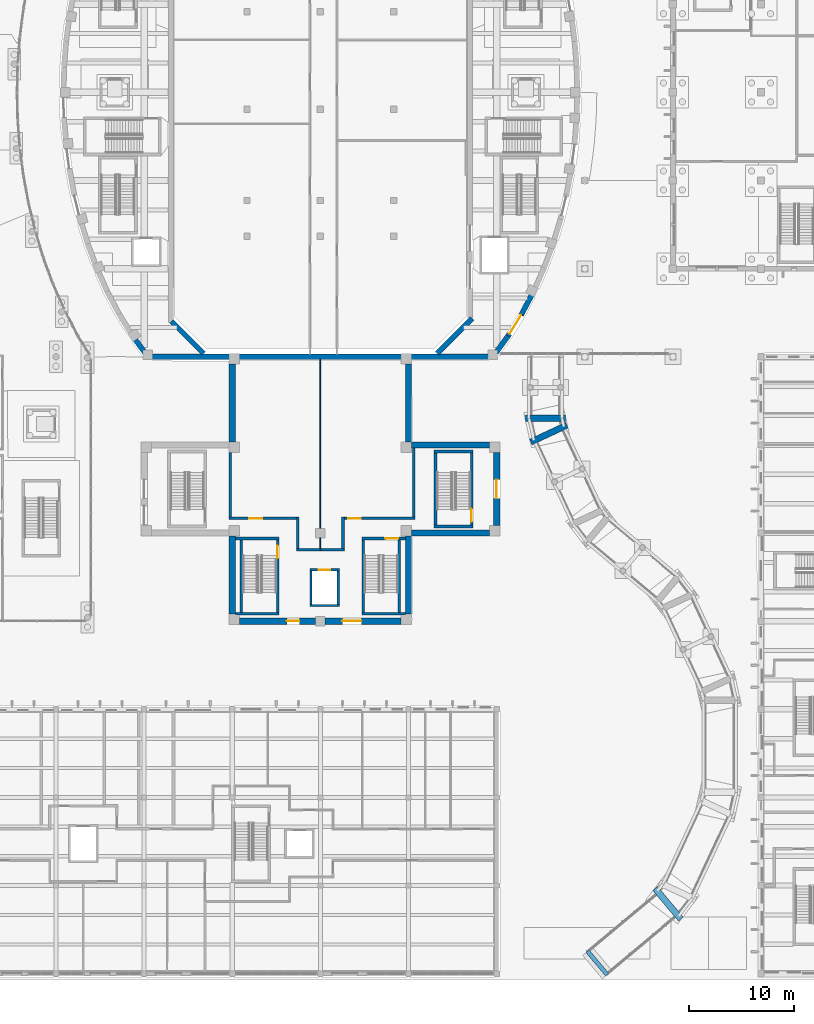
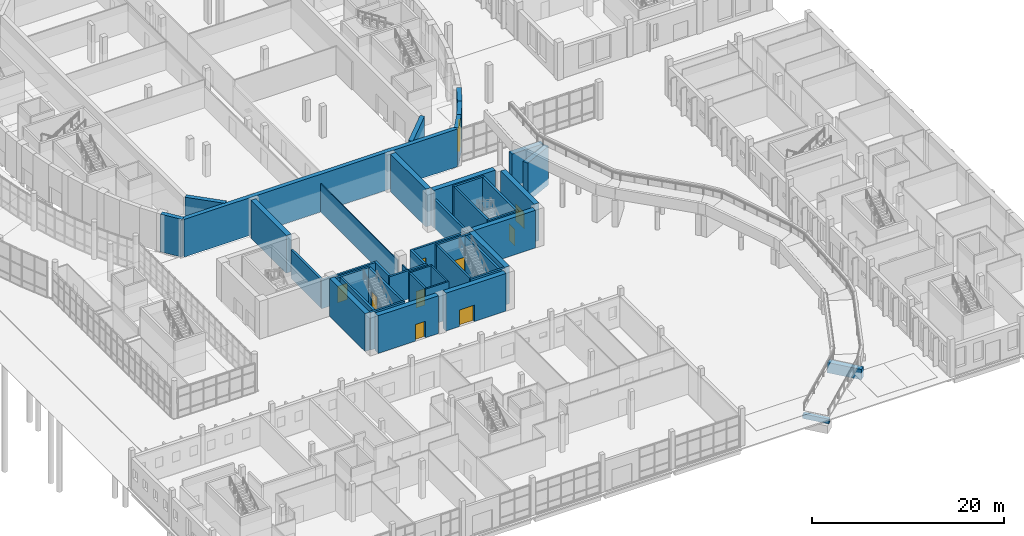
# One storey, part 57 of 110: 46 walls, 10 doors, 10 openings.
"""IFC4 building model written with IfcOpenShell, lengths in metres."""

from ifc_helpers import new_model, si_unit, direction, frame, frame_2d, origin, place, context, subcontext, project, spatial, rectangle, extrude, material, layer, layer_set, type_object, element, fill, save


model = new_model("IFC4")

# Units and contexts
model_context = context("Model", 3, precision=1e-05, world=origin(), true_north=direction((0.0, 1.0)))
body_context = subcontext(model_context, "Body", "Model", "MODEL_VIEW")
ifc_project = project(units=[si_unit("LENGTHUNIT", "METRE"), si_unit("AREAUNIT", "SQUARE_METRE"), si_unit("VOLUMEUNIT", "CUBIC_METRE"), si_unit("PLANEANGLEUNIT", "RADIAN"), si_unit("MASSUNIT", "GRAM", prefix="KILO")], contexts=[model_context])

# Site, building, storey
site_placement = place(None, origin())
site = spatial("IfcSite", under=ifc_project, at=site_placement, CompositionType="ELEMENT")
building_placement = place(site_placement, origin())
building = spatial("IfcBuilding", under=site, at=building_placement, Name="Larchfold Concert Hall", CompositionType="ELEMENT")
storey_placement = place(building_placement, origin())
storey = spatial("IfcBuildingStorey", under=building, at=storey_placement, Name="L00", CompositionType="ELEMENT", Elevation=0.0)

# Walls
ifc_material_1 = material(Name="Plasterboard partition on steel studs", Category="steel")
ifc_layer_1 = layer(ifc_material_1, 0.25)
ifc_layer_set_1 = layer_set([ifc_layer_1], Name="Plasterboard partition on steel studs")
wall_type_1 = type_object("IfcWallType", Name="Hall acoustic double-leaf partition 250", PredefinedType="PARTITIONING", material=ifc_layer_set_1)
wall_1_placement = place(storey_placement, frame((42.64990234375, 41.0, 0.0), z_axis=(0.0, 0.0, 1.0), x_axis=(-1.0, 0.0, 0.0)))
element("IfcWall", 1, at=wall_1_placement, inside=storey, type_object=wall_type_1, Name="Partition IW0019", PredefinedType="PARTITIONING", context=body_context, shape_type="SweptSolid", body=[
    extrude(rectangle(XDim=2.324951171875, YDim=0.25, at=frame_2d((1.16259765625, 0.0))), origin(), (0.0, 0.0, 1.0), 3.6201171875),
])
wall_2_placement = place(storey_placement, frame((40.449951171875, 41.125, 0.0), z_axis=(0.0, 0.0, 1.0), x_axis=(0.0, 1.0, 0.0)))
element("IfcWall", 2, at=wall_2_placement, inside=storey, type_object=wall_type_1, Name="Partition IW0020", PredefinedType="PARTITIONING", context=body_context, shape_type="SweptSolid", body=[
    extrude(rectangle(XDim=3.0, YDim=0.25, at=frame_2d((1.5, 0.0))), origin(), (0.0, 0.0, 1.0), 3.6201171875),
])

# Wall, opening, door
wall_3_placement = place(storey_placement, frame((40.324951171875, 44.0, 0.0), z_axis=(0.0, 0.0, 1.0), x_axis=(-1.0, 0.0, 0.0)))
wall_3 = element("IfcWall", 3, at=wall_3_placement, inside=storey, type_object=wall_type_1, Name="Partition IW0021", PredefinedType="PARTITIONING", context=body_context, shape_type="SweptSolid", body=[
    extrude(rectangle(XDim=6.449951171875, YDim=0.25, at=frame_2d((3.22509765625, 0.0))), origin(), (0.0, 0.0, 1.0), 3.6201171875),
])
opening_1_placement = place(wall_3_placement, frame((3.284912109375, 0.0, 0.0)))
opening_1 = element("IfcOpeningElement", 4, at=opening_1_placement, cuts=wall_3, Name="Opening D-L00-111", PredefinedType="OPENING", context=body_context, shape_type="SweptSolid", body=[
    extrude(rectangle(XDim=1.199951171875, YDim=2.10009765625, at=frame_2d((0.60009765625, 1.050048828125))), frame((0.0, 0.135009765625, 0.0), z_axis=(0.0, -1.0, 0.0), x_axis=(1.0, 0.0, 0.0)), (0.0, 0.0, 1.0), 0.27001953125),
])
ifc_material_2 = material(Name="Timber door leaf", Category="wood")
door_type_1 = type_object("IfcDoorType", Name="Large room door pair 1200 x 2100 FD30S", OperationType="SINGLE_SWING_LEFT", PredefinedType="DOOR", material=ifc_material_2)
door_1_placement = place(opening_1_placement, origin())
door_1 = element("IfcDoor", 5, at=door_1_placement, inside=storey, type_object=door_type_1, Name="Door D-L00-111", OperationType="DOUBLE_DOOR_SINGLE_SWING", OverallHeight=2.10009765625, OverallWidth=1.199951171875, PredefinedType="DOOR", context=body_context, shape_type="SweptSolid", body=[
    extrude(rectangle(XDim=1.199951171875, YDim=2.10009765625, at=frame_2d((0.60009765625, 1.050048828125))), frame((0.0, 0.02490234375, 0.0), z_axis=(0.0, -1.0, 0.0), x_axis=(1.0, 0.0, 0.0)), (0.0, 0.0, 1.0), 0.050048828125),
])
fill(opening_1, door_1)

# Walls
wall_4_placement = place(storey_placement, frame((34.0, 44.125, 0.0), z_axis=(0.0, 0.0, 1.0), x_axis=(0.0, 1.0, 0.0)))
element("IfcWall", 6, at=wall_4_placement, inside=storey, type_object=wall_type_1, Name="Partition IW0022", PredefinedType="PARTITIONING", context=body_context, shape_type="SweptSolid", body=[
    extrude(rectangle(XDim=6.155029296875, YDim=0.25, at=frame_2d((3.07763671875, 0.0))), origin(), (0.0, 0.0, 1.0), 3.6201171875),
])
wall_5_placement = place(storey_placement, frame((42.64990234375, 40.9990234375, 0.0), z_axis=(0.0, 0.0, 1.0), x_axis=(1.0, 0.0, 0.0)))
element("IfcWall", 7, at=wall_5_placement, inside=storey, type_object=wall_type_1, Name="Partition IW0025", PredefinedType="PARTITIONING", context=body_context, shape_type="SweptSolid", body=[
    extrude(rectangle(XDim=2.22509765625, YDim=0.25, at=frame_2d((1.112548828125, 0.0))), origin(), (0.0, 0.0, 1.0), 3.6201171875),
])
wall_6_placement = place(storey_placement, frame((44.75, 41.1240234375, 0.0), z_axis=(0.0, 0.0, 1.0), x_axis=(0.000325520816, 0.999999947018, 0.0)))
element("IfcWall", 8, at=wall_6_placement, inside=storey, type_object=wall_type_1, Name="Partition IW0026", PredefinedType="PARTITIONING", context=body_context, shape_type="SweptSolid", body=[
    extrude(rectangle(XDim=3.0, YDim=0.25, at=frame_2d((1.5, 0.0))), origin(), (0.0, 0.0, 1.0), 3.6201171875),
])

# Wall, opening, door
wall_7_placement = place(storey_placement, frame((44.8759765625, 43.9990234375, 0.0), z_axis=(0.0, 0.0, 1.0), x_axis=(1.0, 0.0, 0.0)))
wall_7 = element("IfcWall", 9, at=wall_7_placement, inside=storey, type_object=wall_type_1, Name="Partition IW0027", PredefinedType="PARTITIONING", context=body_context, shape_type="SweptSolid", body=[
    extrude(rectangle(XDim=6.75, YDim=0.25, at=frame_2d((3.375, 0.0))), origin(), (0.0, 0.0, 1.0), 3.6201171875),
])
opening_2_placement = place(wall_7_placement, frame((0.364501953125, 0.0, 0.0)))
opening_2 = element("IfcOpeningElement", 10, at=opening_2_placement, cuts=wall_7, Name="Opening D-L00-112", PredefinedType="OPENING", context=body_context, shape_type="SweptSolid", body=[
    extrude(rectangle(XDim=1.199951171875, YDim=2.10009765625, at=frame_2d((0.60009765625, 1.050048828125))), frame((0.0, 0.135009765625, 0.0), z_axis=(0.0, -1.0, 0.0), x_axis=(1.0, 0.0, 0.0)), (0.0, 0.0, 1.0), 0.27001953125),
])
door_2_placement = place(opening_2_placement, origin())
door_2 = element("IfcDoor", 11, at=door_2_placement, inside=storey, type_object=door_type_1, Name="Door D-L00-112", OperationType="DOUBLE_DOOR_SINGLE_SWING", OverallHeight=2.10009765625, OverallWidth=1.199951171875, PredefinedType="DOOR", context=body_context, shape_type="SweptSolid", body=[
    extrude(rectangle(XDim=1.199951171875, YDim=2.10009765625, at=frame_2d((0.60009765625, 1.050048828125))), frame((0.0, 0.02490234375, 0.0), z_axis=(0.0, -1.0, 0.0), x_axis=(1.0, 0.0, 0.0)), (0.0, 0.0, 1.0), 0.050048828125),
])
fill(opening_2, door_2)

# Walls
wall_8_placement = place(storey_placement, frame((51.5009765625, 44.1240234375, 0.0), z_axis=(0.0, 0.0, 1.0), x_axis=(-0.00014850566, 0.999999988973, 0.0)))
element("IfcWall", 12, at=wall_8_placement, inside=storey, type_object=wall_type_1, Name="Partition IW0028", PredefinedType="PARTITIONING", context=body_context, shape_type="SweptSolid", body=[
    extrude(rectangle(XDim=6.575927734375, YDim=0.25, at=frame_2d((3.2880859375, 0.0))), origin(), (0.0, 0.0, 1.0), 3.6201171875),
])
ifc_material_3 = material(Name="Plasterboard partition on steel studs", Category="steel")
ifc_layer_2 = layer(ifc_material_3, 0.10009765625)
ifc_layer_set_2 = layer_set([ifc_layer_2], Name="Plasterboard partition on steel studs")
wall_type_2 = type_object("IfcWallType", Name="Stud partition 100", PredefinedType="PARTITIONING", material=ifc_layer_set_2)
wall_9_placement = place(storey_placement, frame((42.60009765625, 59.14990234375, 0.0), z_axis=(0.0, 0.0, 1.0), x_axis=(0.0, -1.0, 0.0)))
element("IfcWall", 13, at=wall_9_placement, inside=storey, type_object=wall_type_2, Name="Partition IW0023", PredefinedType="PARTITIONING", context=body_context, shape_type="SweptSolid", body=[
    extrude(rectangle(XDim=16.079833984375, YDim=0.10009765625, at=frame_2d((8.0400390625, 0.0))), origin(), (0.0, 0.0, 1.0), 3.6201171875),
])
wall_10_placement = place(storey_placement, frame((42.60009765625, 42.130126953125, 0.0), z_axis=(0.0, 0.0, 1.0), x_axis=(0.0, -1.0, 0.0)))
element("IfcWall", 14, at=wall_10_placement, inside=storey, type_object=wall_type_2, Name="Partition IW0024", PredefinedType="PARTITIONING", context=body_context, shape_type="SweptSolid", body=[
    extrude(rectangle(XDim=1.005126953125, YDim=0.10009765625, at=frame_2d((0.50244140625, 0.0))), origin(), (0.0, 0.0, 1.0), 3.6201171875),
])
ifc_material_4 = material(Name="Concrete C40/50", Category="concrete")
ifc_layer_3 = layer(ifc_material_4, 0.199951171875)
ifc_layer_set_3 = layer_set([ifc_layer_3], Name="Concrete C40/50")
wall_type_3 = type_object("IfcWallType", Name="Wall RC 200 lift shaft", PredefinedType="SOLIDWALL", material=ifc_layer_set_3)
wall_11_placement = place(storey_placement, frame((41.60009765625, 35.7001953125, 0.0), z_axis=(0.0, 0.0, 1.0), x_axis=(1.0, 0.0, 0.0)))
element("IfcWall", 15, at=wall_11_placement, inside=storey, type_object=wall_type_3, Name="Wall W0157", PredefinedType="SOLIDWALL", context=body_context, shape_type="SweptSolid", body=[
    extrude(rectangle(XDim=2.7998046875, YDim=0.199951171875, at=frame_2d((1.39990234375, 0.0))), origin(), (0.0, 0.0, 1.0), 4.800048828125),
])

# Wall, opening, door
wall_12_placement = place(storey_placement, frame((41.60009765625, 39.099853515625, 0.0), z_axis=(0.0, 0.0, 1.0), x_axis=(1.0, 0.0, 0.0)))
wall_12 = element("IfcWall", 16, at=wall_12_placement, inside=storey, type_object=wall_type_3, Name="Wall W0158", PredefinedType="SOLIDWALL", context=body_context, shape_type="SweptSolid", body=[
    extrude(rectangle(XDim=2.7998046875, YDim=0.199951171875, at=frame_2d((1.39990234375, 0.0))), origin(), (0.0, 0.0, 1.0), 4.800048828125),
])
opening_3_placement = place(wall_12_placement, frame((0.849853515625, 0.0, 0.0)))
opening_3 = element("IfcOpeningElement", 17, at=opening_3_placement, cuts=wall_12, Name="Opening LD-LF05", PredefinedType="OPENING", context=body_context, shape_type="SweptSolid", body=[
    extrude(rectangle(XDim=1.10009765625, YDim=2.10009765625, at=frame_2d((0.550048828125, 1.050048828125))), frame((0.0, 0.10986328125, 0.0), z_axis=(0.0, -1.0, 0.0), x_axis=(1.0, 0.0, 0.0)), (0.0, 0.0, 1.0), 0.219970703125),
])
ifc_material_5 = material(Name="Stainless steel sliding leaves", Category="steel")
door_type_2 = type_object("IfcDoorType", Name="Lift landing door sliding 1100 x 2100", OperationType="SLIDING_TO_LEFT", PredefinedType="DOOR", material=ifc_material_5)
door_3_placement = place(opening_3_placement, origin())
door_3 = element("IfcDoor", 18, at=door_3_placement, inside=storey, type_object=door_type_2, Name="Lift landing door LF05", OperationType="SLIDING_TO_LEFT", OverallHeight=2.10009765625, OverallWidth=1.10009765625, PredefinedType="DOOR", context=body_context, shape_type="SweptSolid", body=[
    extrude(rectangle(XDim=1.10009765625, YDim=2.10009765625, at=frame_2d((0.550048828125, 1.050048828125))), frame((0.0, 0.02490234375, 0.0), z_axis=(0.0, -1.0, 0.0), x_axis=(1.0, 0.0, 0.0)), (0.0, 0.0, 1.0), 0.050048828125),
])
fill(opening_3, door_3)

# Walls
for number, where, z_axis, x_axis, name in (
    (19, (41.7001953125, 35.800048828125, 0.0), (0.0, 0.0, 1.0), (0.0, 1.0, 0.0), "Wall W0159"),
    (20, (44.2998046875, 35.800048828125, 0.0), (0.0, 0.0, 1.0), (0.0, 1.0, 0.0), "Wall W0160"),
):
    element("IfcWall", number, at=place(storey_placement, frame(where, z_axis=z_axis, x_axis=x_axis)), inside=storey, type_object=wall_type_3, Name=name, PredefinedType="SOLIDWALL", context=body_context, shape_type="SweptSolid", body=[
        extrude(rectangle(XDim=3.199951171875, YDim=0.199951171875, at=frame_2d((1.60009765625, 0.0))), origin(), (0.0, 0.0, 1.0), 4.800048828125),
    ])
ifc_material_6 = material(Name="Concrete C40/50", Category="concrete")
ifc_layer_4 = layer(ifc_material_6, 0.25)
ifc_layer_set_4 = layer_set([ifc_layer_4], Name="Concrete C40/50")
wall_type_4 = type_object("IfcWallType", Name="Wall RC 250 stair core", PredefinedType="SOLIDWALL", material=ifc_layer_set_4)
for number, where, z_axis, x_axis, name in (
    (21, (53.449951171875, 43.22509765625, 0.0), (0.0, 0.0, 1.0), (1.0, 0.0, 0.0), "Wall W0069"),
    (22, (53.449951171875, 50.375, 0.0), (0.0, 0.0, 1.0), (1.0, 0.0, 0.0), "Wall W0070"),
):
    element("IfcWall", number, at=place(storey_placement, frame(where, z_axis=z_axis, x_axis=x_axis)), inside=storey, type_object=wall_type_4, Name=name, PredefinedType="SOLIDWALL", context=body_context, shape_type="SweptSolid", body=[
        extrude(rectangle(XDim=3.699951171875, YDim=0.25, at=frame_2d((1.85009765625, 0.0))), origin(), (0.0, 0.0, 1.0), 4.800048828125),
    ])
wall_13_placement = place(storey_placement, frame((53.574951171875, 43.35009765625, 0.0), z_axis=(0.0, 0.0, 1.0), x_axis=(0.0, 1.0, 0.0)))
element("IfcWall", 23, at=wall_13_placement, inside=storey, type_object=wall_type_4, Name="Wall W0071", PredefinedType="SOLIDWALL", context=body_context, shape_type="SweptSolid", body=[
    extrude(rectangle(XDim=6.89990234375, YDim=0.25, at=frame_2d((3.449951171875, 0.0))), origin(), (0.0, 0.0, 1.0), 4.800048828125),
])

# Wall, opening, door
wall_14_placement = place(storey_placement, frame((57.02490234375, 43.35009765625, 0.0), z_axis=(0.0, 0.0, 1.0), x_axis=(0.0, 1.0, 0.0)))
wall_14 = element("IfcWall", 24, at=wall_14_placement, inside=storey, type_object=wall_type_4, Name="Wall W0072", PredefinedType="SOLIDWALL", context=body_context, shape_type="SweptSolid", body=[
    extrude(rectangle(XDim=6.89990234375, YDim=0.25, at=frame_2d((3.449951171875, 0.0))), origin(), (0.0, 0.0, 1.0), 4.800048828125),
])
opening_4_placement = place(wall_14_placement, frame((0.35009765625, 0.0, 0.0)))
opening_4 = element("IfcOpeningElement", 25, at=opening_4_placement, cuts=wall_14, Name="Opening D-L00-165", PredefinedType="OPENING", context=body_context, shape_type="SweptSolid", body=[
    extrude(rectangle(XDim=1.199951171875, YDim=2.10009765625, at=frame_2d((0.60009765625, 1.050048828125))), frame((0.0, 0.135009765625, 0.0), z_axis=(0.0, -1.0, 0.0), x_axis=(1.0, 0.0, 0.0)), (0.0, 0.0, 1.0), 0.27001953125),
])
ifc_material_7 = material(Name="Timber door leaf", Category="wood")
door_type_3 = type_object("IfcDoorType", Name="Stair enclosure door pair 1200 x 2100 FD60", OperationType="SINGLE_SWING_LEFT", PredefinedType="DOOR", material=ifc_material_7)
door_4_placement = place(opening_4_placement, origin())
door_4 = element("IfcDoor", 26, at=door_4_placement, inside=storey, type_object=door_type_3, Name="Door D-L00-165", OperationType="DOUBLE_DOOR_SINGLE_SWING", OverallHeight=2.10009765625, OverallWidth=1.199951171875, PredefinedType="DOOR", context=body_context, shape_type="SweptSolid", body=[
    extrude(rectangle(XDim=1.199951171875, YDim=2.10009765625, at=frame_2d((0.60009765625, 1.050048828125))), frame((0.0, 0.02490234375, 0.0), z_axis=(0.0, -1.0, 0.0), x_axis=(1.0, 0.0, 0.0)), (0.0, 0.0, 1.0), 0.050048828125),
])
fill(opening_4, door_4)

# Walls
for number, where, z_axis, x_axis, name in (
    (27, (34.5, 34.925048828125, 0.0), (0.0, 0.0, 1.0), (1.0, 0.0, 0.0), "Wall W0073"),
    (28, (34.5, 42.074951171875, 0.0), (0.0, 0.0, 1.0), (1.0, 0.0, 0.0), "Wall W0074"),
):
    element("IfcWall", number, at=place(storey_placement, frame(where, z_axis=z_axis, x_axis=x_axis)), inside=storey, type_object=wall_type_4, Name=name, PredefinedType="SOLIDWALL", context=body_context, shape_type="SweptSolid", body=[
        extrude(rectangle(XDim=4.14990234375, YDim=0.25, at=frame_2d((2.074951171875, 0.0))), origin(), (0.0, 0.0, 1.0), 4.800048828125),
    ])
wall_15_placement = place(storey_placement, frame((35.074951171875, 35.050048828125, 0.0), z_axis=(0.0, 0.0, 1.0), x_axis=(0.0, 1.0, 0.0)))
element("IfcWall", 29, at=wall_15_placement, inside=storey, type_object=wall_type_4, Name="Wall W0075", PredefinedType="SOLIDWALL", context=body_context, shape_type="SweptSolid", body=[
    extrude(rectangle(XDim=6.89990234375, YDim=0.25, at=frame_2d((3.449951171875, 0.0))), origin(), (0.0, 0.0, 1.0), 4.800048828125),
])

# Wall, opening, door
wall_16_placement = place(storey_placement, frame((38.52490234375, 35.050048828125, 0.0), z_axis=(0.0, 0.0, 1.0), x_axis=(0.0, 1.0, 0.0)))
wall_16 = element("IfcWall", 30, at=wall_16_placement, inside=storey, type_object=wall_type_4, Name="Wall W0076", PredefinedType="SOLIDWALL", context=body_context, shape_type="SweptSolid", body=[
    extrude(rectangle(XDim=6.89990234375, YDim=0.25, at=frame_2d((3.449951171875, 0.0))), origin(), (0.0, 0.0, 1.0), 4.800048828125),
])
opening_5_placement = place(wall_16_placement, frame((5.14990234375, 0.0, 0.0)))
opening_5 = element("IfcOpeningElement", 31, at=opening_5_placement, cuts=wall_16, Name="Opening D-L00-162", PredefinedType="OPENING", context=body_context, shape_type="SweptSolid", body=[
    extrude(rectangle(XDim=1.199951171875, YDim=2.10009765625, at=frame_2d((0.60009765625, 1.050048828125))), frame((0.0, 0.135009765625, 0.0), z_axis=(0.0, -1.0, 0.0), x_axis=(1.0, 0.0, 0.0)), (0.0, 0.0, 1.0), 0.27001953125),
])
door_5_placement = place(opening_5_placement, origin())
door_5 = element("IfcDoor", 32, at=door_5_placement, inside=storey, type_object=door_type_3, Name="Door D-L00-162", OperationType="DOUBLE_DOOR_SINGLE_SWING", OverallHeight=2.10009765625, OverallWidth=1.199951171875, PredefinedType="DOOR", context=body_context, shape_type="SweptSolid", body=[
    extrude(rectangle(XDim=1.199951171875, YDim=2.10009765625, at=frame_2d((0.60009765625, 1.050048828125))), frame((0.0, 0.02490234375, 0.0), z_axis=(0.0, -1.0, 0.0), x_axis=(1.0, 0.0, 0.0)), (0.0, 0.0, 1.0), 0.050048828125),
])
fill(opening_5, door_5)

# Wall
wall_17_placement = place(storey_placement, frame((46.550048828125, 34.925048828125, 0.0), z_axis=(0.0, 0.0, 1.0), x_axis=(1.0, 0.0, 0.0)))
element("IfcWall", 33, at=wall_17_placement, inside=storey, type_object=wall_type_4, Name="Wall W0077", PredefinedType="SOLIDWALL", context=body_context, shape_type="SweptSolid", body=[
    extrude(rectangle(XDim=4.14990234375, YDim=0.25, at=frame_2d((2.074951171875, 0.0))), origin(), (0.0, 0.0, 1.0), 4.800048828125),
])

# Wall, opening, door
wall_18_placement = place(storey_placement, frame((46.550048828125, 42.074951171875, 0.0), z_axis=(0.0, 0.0, 1.0), x_axis=(1.0, 0.0, 0.0)))
wall_18 = element("IfcWall", 34, at=wall_18_placement, inside=storey, type_object=wall_type_4, Name="Wall W0078", PredefinedType="SOLIDWALL", context=body_context, shape_type="SweptSolid", body=[
    extrude(rectangle(XDim=4.14990234375, YDim=0.25, at=frame_2d((2.074951171875, 0.0))), origin(), (0.0, 0.0, 1.0), 4.800048828125),
])
opening_6_placement = place(wall_18_placement, frame((2.25, 0.0, 0.0)))
opening_6 = element("IfcOpeningElement", 35, at=opening_6_placement, cuts=wall_18, Name="Opening D-L00-163", PredefinedType="OPENING", context=body_context, shape_type="SweptSolid", body=[
    extrude(rectangle(XDim=1.199951171875, YDim=2.10009765625, at=frame_2d((0.60009765625, 1.050048828125))), frame((0.0, 0.135009765625, 0.0), z_axis=(0.0, -1.0, 0.0), x_axis=(1.0, 0.0, 0.0)), (0.0, 0.0, 1.0), 0.27001953125),
])
door_6_placement = place(opening_6_placement, origin())
door_6 = element("IfcDoor", 36, at=door_6_placement, inside=storey, type_object=door_type_3, Name="Door D-L00-163", OperationType="DOUBLE_DOOR_SINGLE_SWING", OverallHeight=2.10009765625, OverallWidth=1.199951171875, PredefinedType="DOOR", context=body_context, shape_type="SweptSolid", body=[
    extrude(rectangle(XDim=1.199951171875, YDim=2.10009765625, at=frame_2d((0.60009765625, 1.050048828125))), frame((0.0, 0.02490234375, 0.0), z_axis=(0.0, -1.0, 0.0), x_axis=(1.0, 0.0, 0.0)), (0.0, 0.0, 1.0), 0.050048828125),
])
fill(opening_6, door_6)

# Walls
for number, where, z_axis, x_axis, name in (
    (37, (46.675048828125, 35.050048828125, 0.0), (0.0, 0.0, 1.0), (0.0, 1.0, 0.0), "Wall W0079"),
    (38, (50.125, 35.050048828125, 0.0), (0.0, 0.0, 1.0), (0.0, 1.0, 0.0), "Wall W0080"),
):
    element("IfcWall", number, at=place(storey_placement, frame(where, z_axis=z_axis, x_axis=x_axis)), inside=storey, type_object=wall_type_4, Name=name, PredefinedType="SOLIDWALL", context=body_context, shape_type="SweptSolid", body=[
        extrude(rectangle(XDim=6.89990234375, YDim=0.25, at=frame_2d((3.449951171875, 0.0))), origin(), (0.0, 0.0, 1.0), 4.800048828125),
    ])
ifc_material_8 = material(Name="Concrete C30/37", Category="concrete")
ifc_layer_5 = layer(ifc_material_8, 0.39990234375)
ifc_layer_set_5 = layer_set([ifc_layer_5], Name="Concrete C30/37")
wall_type_5 = type_object("IfcWallType", Name="Wall RC 400 ramp pier", PredefinedType="SOLIDWALL", material=ifc_layer_set_5)
wall_19_placement = place(storey_placement, frame((69.93212890625, 0.510009765625, -0.85009765625), z_axis=(0.0, 0.0, 1.0), x_axis=(-0.642797161196, 0.76603642835, 0.0)))
element("IfcWall", 39, at=wall_19_placement, inside=storey, type_object=wall_type_5, Name="Wall W0205", PredefinedType="SOLIDWALL", context=body_context, shape_type="SweptSolid", body=[
    extrude(rectangle(XDim=2.900146484375, YDim=0.39990234375, at=frame_2d((1.4501953125, 0.0))), origin(), (0.0, 0.0, 1.0), 0.60009765625),
])
ifc_material_9 = material(Name="Concrete C30/37", Category="concrete")
ifc_layer_6 = layer(ifc_material_9, 0.5)
ifc_layer_set_6 = layer_set([ifc_layer_6], Name="Concrete C30/37")
wall_type_6 = type_object("IfcWallType", Name="Wall RC 500 drum facade", PredefinedType="SOLIDWALL", material=ifc_layer_set_6)
wall_20_placement = place(storey_placement, frame((24.70654296875, 61.37548828125, 0.0), z_axis=(0.0, 0.0, 1.0), x_axis=(0.590771306399, -0.806839056774, 0.0)))
element("IfcWall", 40, at=wall_20_placement, inside=storey, type_object=wall_type_6, Name="Wall DW049", PredefinedType="SOLIDWALL", context=body_context, shape_type="SweptSolid", body=[
    extrude(rectangle(XDim=2.448486328125, YDim=0.5, at=frame_2d((1.22412109375, 0.0))), origin(), (0.0, 0.0, 1.0), 4.800048828125),
])
wall_21_placement = place(storey_placement, frame((26.153076171875, 59.39990234375, 0.0), z_axis=(0.0, 0.0, 1.0), x_axis=(1.0, 0.0, 0.0)))
element("IfcWall", 41, at=wall_21_placement, inside=storey, type_object=wall_type_6, Name="Wall DW050", PredefinedType="SOLIDWALL", context=body_context, shape_type="SweptSolid", body=[
    extrude(rectangle(XDim=32.89404296875, YDim=0.5, at=frame_2d((16.447021484375, 0.0))), origin(), (0.0, 0.0, 1.0), 4.800048828125),
])
wall_22_placement = place(storey_placement, frame((59.047119140625, 59.39990234375, 0.0), z_axis=(0.0, 0.0, 1.0), x_axis=(0.590771306399, 0.806839056774, 0.0)))
element("IfcWall", 42, at=wall_22_placement, inside=storey, type_object=wall_type_6, Name="Wall DW051", PredefinedType="SOLIDWALL", context=body_context, shape_type="SweptSolid", body=[
    extrude(rectangle(XDim=2.448486328125, YDim=0.5, at=frame_2d((1.22412109375, 0.0))), origin(), (0.0, 0.0, 1.0), 4.800048828125),
])

# Wall, opening, door
wall_23_placement = place(storey_placement, frame((60.49365234375, 61.37548828125, 0.0), z_axis=(0.0, 0.0, 1.0), x_axis=(0.527702820527, 0.849429063082, 0.0)))
wall_23 = element("IfcWall", 43, at=wall_23_placement, inside=storey, type_object=wall_type_6, Name="Wall DW052", PredefinedType="SOLIDWALL", context=body_context, shape_type="SweptSolid", body=[
    extrude(rectangle(XDim=2.44873046875, YDim=0.5, at=frame_2d((1.224365234375, 0.0))), origin(), (0.0, 0.0, 1.0), 4.800048828125),
])
opening_7_placement = place(wall_23_placement, frame((0.248779296875, 0.0, 0.0)))
opening_7 = element("IfcOpeningElement", 44, at=opening_7_placement, cuts=wall_23, Name="Opening D-L00-209", PredefinedType="OPENING", context=body_context, shape_type="SweptSolid", body=[
    extrude(rectangle(XDim=2.10009765625, YDim=2.39990234375, at=frame_2d((1.050048828125, 1.199951171875))), frame((0.0, 0.260009765625, 0.0), z_axis=(0.0, -1.0, 0.0), x_axis=(1.0, 0.0, 0.0)), (0.0, 0.0, 1.0), 0.52001953125),
])
ifc_material_10 = material(Name="Anodised graphite aluminium door leaf", Category="aluminium")
door_type_4 = type_object("IfcDoorType", Name="Entrance door double 2100x2400", OperationType="DOUBLE_DOOR_SINGLE_SWING", PredefinedType="DOOR", material=ifc_material_10)
door_7_placement = place(opening_7_placement, origin())
door_7 = element("IfcDoor", 45, at=door_7_placement, inside=storey, type_object=door_type_4, Name="Door D-L00-209", OperationType="DOUBLE_DOOR_SINGLE_SWING", OverallHeight=2.39990234375, OverallWidth=2.10009765625, PredefinedType="DOOR", context=body_context, shape_type="SweptSolid", body=[
    extrude(rectangle(XDim=2.10009765625, YDim=2.39990234375, at=frame_2d((1.050048828125, 1.199951171875))), frame((0.0, 0.02490234375, 0.0), z_axis=(0.0, -1.0, 0.0), x_axis=(1.0, 0.0, 0.0)), (0.0, 0.0, 1.0), 0.050048828125),
])
fill(opening_7, door_7)

# Walls
wall_24_placement = place(storey_placement, frame((61.785888671875, 63.45556640625, 0.0), z_axis=(0.0, 0.0, 1.0), x_axis=(0.466448872517, 0.884548161112, 0.0)))
element("IfcWall", 46, at=wall_24_placement, inside=storey, type_object=wall_type_6, Name="Wall DW053", PredefinedType="SOLIDWALL", context=body_context, shape_type="SweptSolid", body=[
    extrude(rectangle(XDim=2.448974609375, YDim=0.5, at=frame_2d((1.224609375, 0.0))), origin(), (0.0, 0.0, 1.0), 4.800048828125),
])
ifc_material_11 = material(Name="Concrete C40/50", Category="concrete")
ifc_layer_7 = layer(ifc_material_11, 0.5)
ifc_layer_set_7 = layer_set([ifc_layer_7], Name="Concrete C40/50")
wall_type_7 = type_object("IfcWallType", Name="Wall RC 500 hall shell", PredefinedType="SOLIDWALL", material=ifc_layer_set_7)
wall_25_placement = place(storey_placement, frame((53.722900390625, 59.72265625, 0.0), z_axis=(0.0, 0.0, 1.0), x_axis=(0.707106781187, 0.707106781187, 0.0)))
element("IfcWall", 47, at=wall_25_placement, inside=storey, type_object=wall_type_7, Name="Wall W0001", PredefinedType="SOLIDWALL", context=body_context, shape_type="SweptSolid", body=[
    extrude(rectangle(XDim=4.720947265625, YDim=0.5, at=frame_2d((2.3603515625, 0.0))), origin(), (0.0, 0.0, 1.0), 4.800048828125),
])
wall_26_placement = place(storey_placement, frame((28.4228515625, 62.777099609375, 0.0), z_axis=(0.0, 0.0, 1.0), x_axis=(0.707106781187, -0.707106781187, 0.0)))
element("IfcWall", 48, at=wall_26_placement, inside=storey, type_object=wall_type_7, Name="Wall W0007", PredefinedType="SOLIDWALL", context=body_context, shape_type="SweptSolid", body=[
    extrude(rectangle(XDim=4.319580078125, YDim=0.5, at=frame_2d((2.15966796875, 0.0))), origin(), (0.0, 0.0, 1.0), 4.800048828125),
])
ifc_material_12 = material(Name="Concrete C30/37", Category="concrete")
ifc_layer_8 = layer(ifc_material_12, 0.60009765625)
ifc_layer_set_8 = layer_set([ifc_layer_8], Name="Concrete C30/37")
wall_type_8 = type_object("IfcWallType", Name="Wall RC 600 ramp pier", PredefinedType="SOLIDWALL", material=ifc_layer_set_8)
wall_27_placement = place(storey_placement, frame((76.9501953125, 5.8115234375, -0.85009765625), z_axis=(0.0, 0.0, 1.0), x_axis=(-0.642733920245, 0.766089490704, 0.0)))
element("IfcWall", 49, at=wall_27_placement, inside=storey, type_object=wall_type_8, Name="Wall W0193", PredefinedType="SOLIDWALL", context=body_context, shape_type="SweptSolid", body=[
    extrude(rectangle(XDim=3.800048828125, YDim=0.60009765625, at=frame_2d((1.89990234375, 0.0))), origin(), (0.0, 0.0, 1.0), 1.320068359375),
])
for number, where, z_axis, x_axis, name in (
    (50, (66.096435546875, 52.88232421875, -0.85009765625), (0.0, 0.0, 1.0), (-0.906301285889, -0.422632203217, 0.0), "Wall W0203"),
    (51, (65.94970703125, 53.5439453125, -0.85009765625), (0.0, 0.0, 1.0), (-1.0, 0.0, 0.0), "Wall W0204"),
):
    element("IfcWall", number, at=place(storey_placement, frame(where, z_axis=z_axis, x_axis=x_axis)), inside=storey, type_object=wall_type_8, Name=name, PredefinedType="SOLIDWALL", context=body_context, shape_type="SweptSolid", body=[
        extrude(rectangle(XDim=3.7998046875, YDim=0.60009765625, at=frame_2d((1.89990234375, 0.0))), origin(), (0.0, 0.0, 1.0), 4.920166015625),
    ])
ifc_material_13 = material(Name="Concrete C40/50", Category="concrete")
ifc_layer_9 = layer(ifc_material_13, 0.60009765625)
ifc_layer_set_9 = layer_set([ifc_layer_9], Name="Concrete C40/50")
wall_type_9 = type_object("IfcWallType", Name="Wall RC 600 stage house", PredefinedType="SOLIDWALL", material=ifc_layer_set_9)
wall_28_placement = place(storey_placement, frame((51.300048828125, 42.60009765625, 0.0), z_axis=(0.0, 0.0, 1.0), x_axis=(1.0, 0.0, 0.0)))
element("IfcWall", 52, at=wall_28_placement, inside=storey, type_object=wall_type_9, Name="Wall W0008", PredefinedType="SOLIDWALL", context=body_context, shape_type="SweptSolid", body=[
    extrude(rectangle(XDim=7.39990234375, YDim=0.60009765625, at=frame_2d((3.699951171875, 0.0))), origin(), (0.0, 0.0, 1.0), 4.800048828125),
])

# Wall, opening, door
wall_29_placement = place(storey_placement, frame((59.39990234375, 43.300048828125, 0.0), z_axis=(0.0, 0.0, 1.0), x_axis=(0.0, 1.0, 0.0)))
wall_29 = element("IfcWall", 53, at=wall_29_placement, inside=storey, type_object=wall_type_9, Name="Wall W0009", PredefinedType="SOLIDWALL", context=body_context, shape_type="SweptSolid", body=[
    extrude(rectangle(XDim=7.0, YDim=0.60009765625, at=frame_2d((3.5, 0.0))), origin(), (0.0, 0.0, 1.0), 4.800048828125),
])
opening_8_placement = place(wall_29_placement, frame((4.400146484375, 0.0, 0.0), z_axis=(0.0, 0.0, 1.0), x_axis=(-1.0, 0.0, 0.0)))
opening_8 = element("IfcOpeningElement", 54, at=opening_8_placement, cuts=wall_29, Name="Opening D-L00-213", PredefinedType="OPENING", context=body_context, shape_type="SweptSolid", body=[
    extrude(rectangle(XDim=1.800048828125, YDim=2.10009765625, at=frame_2d((0.89990234375, 1.050048828125))), frame((0.0, 0.31005859375, 0.0), z_axis=(0.0, -1.0, 0.0), x_axis=(1.0, 0.0, 0.0)), (0.0, 0.0, 1.0), 0.6201171875),
])
ifc_material_14 = material(Name="Anodised graphite aluminium door leaf", Category="aluminium")
door_type_5 = type_object("IfcDoorType", Name="Exit door double 1800x2100", OperationType="DOUBLE_DOOR_SINGLE_SWING", PredefinedType="DOOR", material=ifc_material_14)
door_8_placement = place(opening_8_placement, origin())
door_8 = element("IfcDoor", 55, at=door_8_placement, inside=storey, type_object=door_type_5, Name="Door D-L00-213", OperationType="DOUBLE_DOOR_SINGLE_SWING", OverallHeight=2.10009765625, OverallWidth=1.800048828125, PredefinedType="DOOR", context=body_context, shape_type="SweptSolid", body=[
    extrude(rectangle(XDim=1.800048828125, YDim=2.10009765625, at=frame_2d((0.89990234375, 1.050048828125))), frame((0.0, 0.02490234375, 0.0), z_axis=(0.0, -1.0, 0.0), x_axis=(1.0, 0.0, 0.0)), (0.0, 0.0, 1.0), 0.050048828125),
])
fill(opening_8, door_8)

# Walls
for number, where, z_axis, x_axis, name in (
    (56, (58.699951171875, 51.0, 0.0), (0.0, 0.0, 1.0), (-1.0, 0.0, 0.0), "Wall W0010"),
    (57, (51.0, 51.300048828125, 0.0), (0.0, 0.0, 1.0), (0.0, 1.0, 0.0), "Wall W0011"),
    (58, (34.199951171875, 58.699951171875, 0.0), (0.0, 0.0, 1.0), (0.0, -1.0, 0.0), "Wall W0012"),
):
    element("IfcWall", number, at=place(storey_placement, frame(where, z_axis=z_axis, x_axis=x_axis)), inside=storey, type_object=wall_type_9, Name=name, PredefinedType="SOLIDWALL", context=body_context, shape_type="SweptSolid", body=[
        extrude(rectangle(XDim=7.39990234375, YDim=0.60009765625, at=frame_2d((3.699951171875, 0.0))), origin(), (0.0, 0.0, 1.0), 4.800048828125),
    ])
wall_30_placement = place(storey_placement, frame((34.199951171875, 42.300048828125, 0.0), z_axis=(0.0, 0.0, 1.0), x_axis=(0.0, -1.0, 0.0)))
element("IfcWall", 59, at=wall_30_placement, inside=storey, type_object=wall_type_9, Name="Wall W0016", PredefinedType="SOLIDWALL", context=body_context, shape_type="SweptSolid", body=[
    extrude(rectangle(XDim=7.400146484375, YDim=0.60009765625, at=frame_2d((3.7001953125, 0.0))), origin(), (0.0, 0.0, 1.0), 4.800048828125),
])

# Wall, opening, door
wall_31_placement = place(storey_placement, frame((34.89990234375, 34.199951171875, 0.0), z_axis=(0.0, 0.0, 1.0), x_axis=(1.0, 0.0, 0.0)))
wall_31 = element("IfcWall", 60, at=wall_31_placement, inside=storey, type_object=wall_type_9, Name="Wall W0017", PredefinedType="SOLIDWALL", context=body_context, shape_type="SweptSolid", body=[
    extrude(rectangle(XDim=7.250244140625, YDim=0.60009765625, at=frame_2d((3.625, 0.0))), origin(), (0.0, 0.0, 1.0), 4.800048828125),
])
opening_9_placement = place(wall_31_placement, frame((5.699951171875, 0.0, 0.0), z_axis=(0.0, 0.0, 1.0), x_axis=(-1.0, 0.0, 0.0)))
opening_9 = element("IfcOpeningElement", 61, at=opening_9_placement, cuts=wall_31, Name="Opening D-L00-214", PredefinedType="OPENING", context=body_context, shape_type="SweptSolid", body=[
    extrude(rectangle(XDim=1.199951171875, YDim=2.10009765625, at=frame_2d((0.60009765625, 1.050048828125))), frame((0.0, 0.31005859375, 0.0), z_axis=(0.0, -1.0, 0.0), x_axis=(1.0, 0.0, 0.0)), (0.0, 0.0, 1.0), 0.6201171875),
])
ifc_material_15 = material(Name="Anodised graphite aluminium door leaf", Category="aluminium")
door_type_6 = type_object("IfcDoorType", Name="Exit door single 1200x2100", OperationType="SINGLE_SWING_LEFT", PredefinedType="DOOR", material=ifc_material_15)
door_9_placement = place(opening_9_placement, origin())
door_9 = element("IfcDoor", 62, at=door_9_placement, inside=storey, type_object=door_type_6, Name="Door D-L00-214", OperationType="SINGLE_SWING_LEFT", OverallHeight=2.10009765625, OverallWidth=1.199951171875, PredefinedType="DOOR", context=body_context, shape_type="SweptSolid", body=[
    extrude(rectangle(XDim=1.199951171875, YDim=2.10009765625, at=frame_2d((0.60009765625, 1.050048828125))), frame((0.0, 0.02490234375, 0.0), z_axis=(0.0, -1.0, 0.0), x_axis=(1.0, 0.0, 0.0)), (0.0, 0.0, 1.0), 0.050048828125),
])
fill(opening_9, door_9)

wall_32_placement = place(storey_placement, frame((43.050048828125, 34.199951171875, 0.0), z_axis=(0.0, 0.0, 1.0), x_axis=(1.0, 0.0, 0.0)))
wall_32 = element("IfcWall", 63, at=wall_32_placement, inside=storey, type_object=wall_type_9, Name="Wall W0018", PredefinedType="SOLIDWALL", context=body_context, shape_type="SweptSolid", body=[
    extrude(rectangle(XDim=7.25, YDim=0.60009765625, at=frame_2d((3.625, 0.0))), origin(), (0.0, 0.0, 1.0), 4.800048828125),
])
opening_10_placement = place(wall_32_placement, frame((3.4501953125, 0.0, 0.0), z_axis=(0.0, 0.0, 1.0), x_axis=(-1.0, 0.0, 0.0)))
opening_10 = element("IfcOpeningElement", 64, at=opening_10_placement, cuts=wall_32, Name="Opening D-L00-215", PredefinedType="OPENING", context=body_context, shape_type="SweptSolid", body=[
    extrude(rectangle(XDim=1.800048828125, YDim=2.10009765625, at=frame_2d((0.89990234375, 1.050048828125))), frame((0.0, 0.31005859375, 0.0), z_axis=(0.0, -1.0, 0.0), x_axis=(1.0, 0.0, 0.0)), (0.0, 0.0, 1.0), 0.6201171875),
])
door_10_placement = place(opening_10_placement, origin())
door_10 = element("IfcDoor", 65, at=door_10_placement, inside=storey, type_object=door_type_5, Name="Door D-L00-215", OperationType="DOUBLE_DOOR_SINGLE_SWING", OverallHeight=2.10009765625, OverallWidth=1.800048828125, PredefinedType="DOOR", context=body_context, shape_type="SweptSolid", body=[
    extrude(rectangle(XDim=1.800048828125, YDim=2.10009765625, at=frame_2d((0.89990234375, 1.050048828125))), frame((0.0, 0.02490234375, 0.0), z_axis=(0.0, -1.0, 0.0), x_axis=(1.0, 0.0, 0.0)), (0.0, 0.0, 1.0), 0.050048828125),
])
fill(opening_10, door_10)

# Wall
wall_33_placement = place(storey_placement, frame((51.0, 34.89990234375, 0.0), z_axis=(0.0, 0.0, 1.0), x_axis=(0.0, 1.0, 0.0)))
element("IfcWall", 66, at=wall_33_placement, inside=storey, type_object=wall_type_9, Name="Wall W0019", PredefinedType="SOLIDWALL", context=body_context, shape_type="SweptSolid", body=[
    extrude(rectangle(XDim=7.400146484375, YDim=0.60009765625, at=frame_2d((3.7001953125, 0.0))), origin(), (0.0, 0.0, 1.0), 4.800048828125),
])

save(model, "model.ifc")
